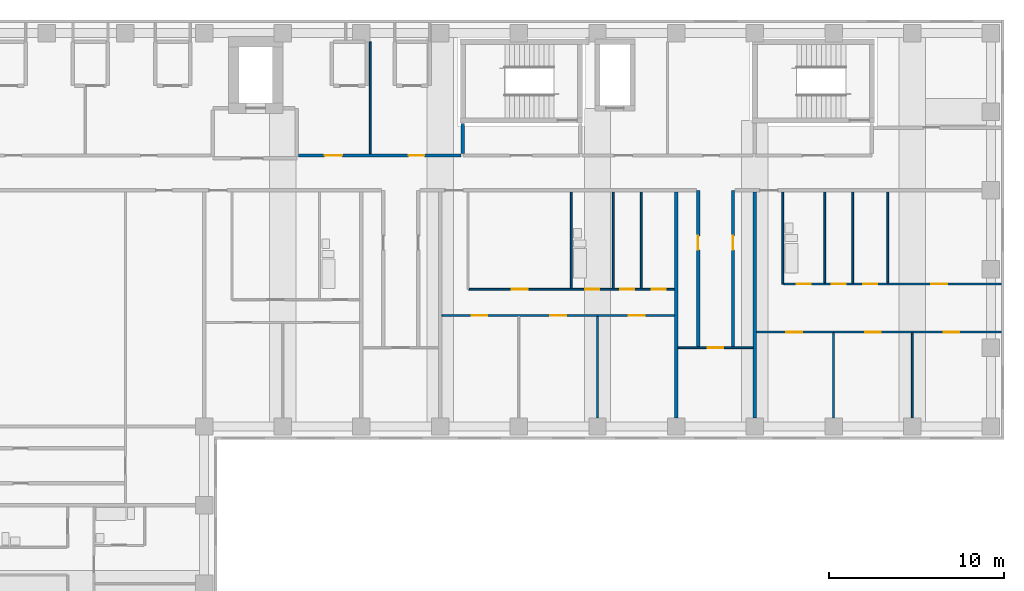
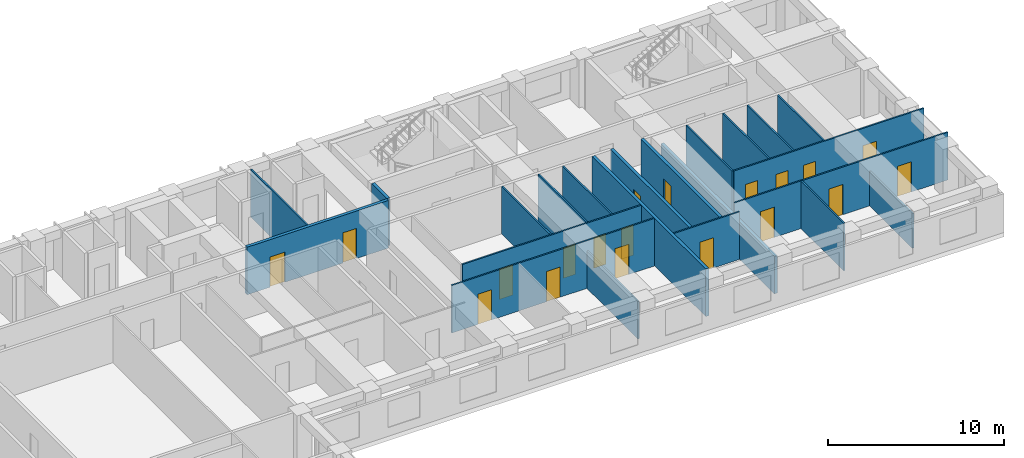
# One storey, part 7 of 12: 22 walls, 19 doors, 19 openings.
"""IFC4 building model written with IfcOpenShell, lengths in metres."""

from ifc_helpers import new_model, si_unit, direction, frame, frame_2d, origin, place, context, subcontext, project, spatial, rectangle, extrude, material, layer, layer_set, type_object, element, fill, save


model = new_model("IFC4")

# Units and contexts
model_context = context("Model", 3, precision=1e-05, world=origin(), true_north=direction((0.0, 1.0)))
body_context = subcontext(model_context, "Body", "Model", "MODEL_VIEW")
ifc_project = project(units=[si_unit("LENGTHUNIT", "METRE"), si_unit("AREAUNIT", "SQUARE_METRE"), si_unit("VOLUMEUNIT", "CUBIC_METRE"), si_unit("PLANEANGLEUNIT", "RADIAN"), si_unit("MASSUNIT", "GRAM", prefix="KILO")], contexts=[model_context])

# Site, building, storey
site_placement = place(None, origin())
site = spatial("IfcSite", under=ifc_project, at=site_placement, CompositionType="ELEMENT")
building_placement = place(site_placement, origin())
building = spatial("IfcBuilding", under=site, at=building_placement, Name="Firuza Court", CompositionType="ELEMENT")
storey_placement = place(building_placement, frame((0.0, 0.0, 152.0)))
storey = spatial("IfcBuildingStorey", under=building, at=storey_placement, Name="L38", CompositionType="ELEMENT", Elevation=152.0)

# Walls
ifc_material_1 = material(Name="Moisture-resistant gypsum board partition")
ifc_layer_1 = layer(ifc_material_1, 0.10009765625)
ifc_layer_set_1 = layer_set([ifc_layer_1], Name="Moisture-resistant gypsum board partition")
wall_type_1 = type_object("IfcWallType", Name="Bathroom partition 100", PredefinedType="PLUMBINGWALL", material=ifc_layer_set_1)
for number, where, z_axis, x_axis, name in (
    (1, (43.5, 43.89990234375, 0.0), (0.0, 0.0, 1.0), (0.0, 1.0, 0.0), "Bathroom partition 100 L38"),
    (2, (45.89990234375, 43.89990234375, 0.0), (0.0, 0.0, 1.0), (0.0, 1.0, 0.0), "Bathroom partition 100 L38"),
):
    element("IfcWall", number, at=place(storey_placement, frame(where, z_axis=z_axis, x_axis=x_axis)), inside=storey, type_object=wall_type_1, Name=name, PredefinedType="PLUMBINGWALL", context=body_context, shape_type="SweptSolid", body=[
        extrude(rectangle(XDim=5.5, YDim=0.10009765625, at=frame_2d((2.75, 0.0))), origin(), (0.0, 0.0, 1.0), 3.300048828125),
    ])
wall_1_placement = place(storey_placement, frame((55.60009765625, 44.14990234375, 0.0), z_axis=(0.0, 0.0, 1.0), x_axis=(0.0, 1.0, 0.0)))
element("IfcWall", 3, at=wall_1_placement, inside=storey, type_object=wall_type_1, Name="Bathroom partition 100 L38", PredefinedType="PLUMBINGWALL", context=body_context, shape_type="SweptSolid", body=[
    extrude(rectangle(XDim=5.25, YDim=0.10009765625, at=frame_2d((2.625, 0.0))), origin(), (0.0, 0.0, 1.0), 3.300048828125),
])
wall_2_placement = place(storey_placement, frame((58.0, 44.199951171875, 0.0), z_axis=(0.0, 0.0, 1.0), x_axis=(0.0, 1.0, 0.0)))
element("IfcWall", 4, at=wall_2_placement, inside=storey, type_object=wall_type_1, Name="Bathroom partition 100 L38", PredefinedType="PLUMBINGWALL", context=body_context, shape_type="SweptSolid", body=[
    extrude(rectangle(XDim=5.199951171875, YDim=0.10009765625, at=frame_2d((2.60009765625, 0.0))), origin(), (0.0, 0.0, 1.0), 3.300048828125),
])

# Wall, opening, door
ifc_material_2 = material(Name="Blockwork, plastered both sides", Category="masonry")
ifc_layer_2 = layer(ifc_material_2, 0.199951171875)
ifc_layer_set_2 = layer_set([ifc_layer_2], Name="Blockwork, plastered both sides")
wall_type_2 = type_object("IfcWallType", Name="Corridor wall 200", PredefinedType="PARTITIONING", material=ifc_layer_set_2)
wall_3_placement = place(storey_placement, frame((50.75, 40.550048828125, 0.0), z_axis=(0.0, 0.0, 1.0), x_axis=(0.0, 1.0, 0.0)))
wall_3 = element("IfcWall", 5, at=wall_3_placement, inside=storey, type_object=wall_type_2, Name="Corridor wall 200 L38", PredefinedType="PARTITIONING", context=body_context, shape_type="SweptSolid", body=[
    extrude(rectangle(XDim=8.949951171875, YDim=0.199951171875, at=frame_2d((4.47509765625, 0.0))), origin(), (0.0, 0.0, 1.0), 3.300048828125),
])
opening_1_placement = place(wall_3_placement, frame((5.550048828125, 0.0, 0.0)))
opening_1 = element("IfcOpeningElement", 6, at=opening_1_placement, cuts=wall_3, Name="Opening D38046", PredefinedType="OPENING", context=body_context, shape_type="SweptSolid", body=[
    extrude(rectangle(XDim=0.800048828125, YDim=2.10009765625, at=frame_2d((0.39990234375, 1.050048828125))), frame((0.0, 0.11181640625, 0.0), z_axis=(0.0, -1.0, 0.0), x_axis=(1.0, 0.0, 0.0)), (0.0, 0.0, 1.0), 0.223876953125),
])
ifc_material_3 = material(Name="Timber door leaf in hardwood frame", Category="wood")
door_type_1 = type_object("IfcDoorType", Name="Room door 800 EI 30", OperationType="SINGLE_SWING_LEFT", PredefinedType="DOOR", material=ifc_material_3)
door_1_placement = place(opening_1_placement, origin())
door_1 = element("IfcDoor", 7, at=door_1_placement, inside=storey, type_object=door_type_1, Name="Store door", OperationType="SINGLE_SWING_RIGHT", OverallHeight=2.10009765625, OverallWidth=0.800048828125, PredefinedType="DOOR", context=body_context, shape_type="SweptSolid", body=[
    extrude(rectangle(XDim=0.800048828125, YDim=2.10009765625, at=frame_2d((0.39990234375, 1.050048828125))), frame((0.0, 0.02490234375, 0.0), z_axis=(0.0, -1.0, 0.0), x_axis=(1.0, 0.0, 0.0)), (0.0, 0.0, 1.0), 0.050048828125),
])
fill(opening_1, door_1)

wall_4_placement = place(storey_placement, frame((52.75, 40.550048828125, 0.0), z_axis=(0.0, 0.0, 1.0), x_axis=(0.0, 1.0, 0.0)))
wall_4 = element("IfcWall", 8, at=wall_4_placement, inside=storey, type_object=wall_type_2, Name="Corridor wall 200 L38", PredefinedType="PARTITIONING", context=body_context, shape_type="SweptSolid", body=[
    extrude(rectangle(XDim=8.949951171875, YDim=0.199951171875, at=frame_2d((4.47509765625, 0.0))), origin(), (0.0, 0.0, 1.0), 3.300048828125),
])
opening_2_placement = place(wall_4_placement, frame((5.550048828125, 0.0, 0.0)))
opening_2 = element("IfcOpeningElement", 9, at=opening_2_placement, cuts=wall_4, Name="Opening D38047", PredefinedType="OPENING", context=body_context, shape_type="SweptSolid", body=[
    extrude(rectangle(XDim=0.800048828125, YDim=2.10009765625, at=frame_2d((0.39990234375, 1.050048828125))), frame((0.0, 0.11181640625, 0.0), z_axis=(0.0, -1.0, 0.0), x_axis=(1.0, 0.0, 0.0)), (0.0, 0.0, 1.0), 0.223876953125),
])
door_2_placement = place(opening_2_placement, frame((0.800048828125, 0.0, 0.0), z_axis=(0.0, 0.0, 1.0), x_axis=(-1.0, 0.0, 0.0)))
door_2 = element("IfcDoor", 10, at=door_2_placement, inside=storey, type_object=door_type_1, Name="Store door", OperationType="SINGLE_SWING_LEFT", OverallHeight=2.10009765625, OverallWidth=0.800048828125, PredefinedType="DOOR", context=body_context, shape_type="SweptSolid", body=[
    extrude(rectangle(XDim=0.800048828125, YDim=2.10009765625, at=frame_2d((0.39990234375, 1.050048828125))), frame((0.0, 0.02490234375, 0.0), z_axis=(0.0, -1.0, 0.0), x_axis=(1.0, 0.0, 0.0)), (0.0, 0.0, 1.0), 0.050048828125),
])
fill(opening_2, door_2)

# Wall, openings, doors
wall_5_placement = place(storey_placement, frame((27.89990234375, 51.5, 0.0), z_axis=(0.0, 0.0, 1.0), x_axis=(1.0, 0.0, 0.0)))
wall_5 = element("IfcWall", 11, at=wall_5_placement, inside=storey, type_object=wall_type_2, Name="Corridor wall 200 L38", PredefinedType="PARTITIONING", context=body_context, shape_type="SweptSolid", body=[
    extrude(rectangle(XDim=9.300048828125, YDim=0.199951171875, at=frame_2d((4.64990234375, 0.0))), origin(), (0.0, 0.0, 1.0), 3.300048828125),
])
opening_3_placement = place(wall_5_placement, frame((1.5, 0.0, 0.0)))
opening_3 = element("IfcOpeningElement", 12, at=opening_3_placement, cuts=wall_5, Name="Opening D38072", PredefinedType="OPENING", context=body_context, shape_type="SweptSolid", body=[
    extrude(rectangle(XDim=1.0, YDim=2.10009765625, at=frame_2d((0.5, 1.050048828125))), frame((0.0, 0.11181640625, 0.0), z_axis=(0.0, -1.0, 0.0), x_axis=(1.0, 0.0, 0.0)), (0.0, 0.0, 1.0), 0.223876953125),
])
opening_4_placement = place(wall_5_placement, frame((6.300048828125, 0.0, 0.0)))
opening_4 = element("IfcOpeningElement", 13, at=opening_4_placement, cuts=wall_5, Name="Opening D38073", PredefinedType="OPENING", context=body_context, shape_type="SweptSolid", body=[
    extrude(rectangle(XDim=0.89990234375, YDim=2.10009765625, at=frame_2d((0.449951171875, 1.050048828125))), frame((0.0, 0.11181640625, 0.0), z_axis=(0.0, -1.0, 0.0), x_axis=(1.0, 0.0, 0.0)), (0.0, 0.0, 1.0), 0.223876953125),
])
ifc_material_4 = material(Name="Timber door leaf in hardwood frame", Category="wood")
door_type_2 = type_object("IfcDoorType", Name="Room door 900 EI 30", OperationType="SINGLE_SWING_LEFT", PredefinedType="DOOR", material=ifc_material_4)
door_3_placement = place(opening_4_placement, origin())
door_3 = element("IfcDoor", 14, at=door_3_placement, inside=storey, type_object=door_type_2, Name="Concierge room door", OperationType="SINGLE_SWING_LEFT", OverallHeight=2.10009765625, OverallWidth=0.89990234375, PredefinedType="DOOR", context=body_context, shape_type="SweptSolid", body=[
    extrude(rectangle(XDim=0.89990234375, YDim=2.10009765625, at=frame_2d((0.449951171875, 1.050048828125))), frame((0.0, 0.02490234375, 0.0), z_axis=(0.0, -1.0, 0.0), x_axis=(1.0, 0.0, 0.0)), (0.0, 0.0, 1.0), 0.050048828125),
])
fill(opening_4, door_3)
ifc_material_5 = material(Name="Timber door leaf in hardwood frame", Category="wood")
door_type_3 = type_object("IfcDoorType", Name="Store door 1000", OperationType="SINGLE_SWING_LEFT", PredefinedType="DOOR", material=ifc_material_5)
door_4_placement = place(opening_3_placement, origin())
door_4 = element("IfcDoor", 15, at=door_4_placement, inside=storey, type_object=door_type_3, Name="Cleaner's store door", OperationType="SINGLE_SWING_LEFT", OverallHeight=2.10009765625, OverallWidth=1.0, PredefinedType="DOOR", context=body_context, shape_type="SweptSolid", body=[
    extrude(rectangle(XDim=1.0, YDim=2.10009765625, at=frame_2d((0.5, 1.050048828125))), frame((0.0, 0.02490234375, 0.0), z_axis=(0.0, -1.0, 0.0), x_axis=(1.0, 0.0, 0.0)), (0.0, 0.0, 1.0), 0.050048828125),
])
fill(opening_3, door_4)

# Walls
ifc_material_6 = material(Name="Timber stud partition, plasterboard both sides", Category="wood")
ifc_layer_3 = layer(ifc_material_6, 0.10009765625)
ifc_layer_set_3 = layer_set([ifc_layer_3], Name="Timber stud partition, plasterboard both sides")
wall_type_3 = type_object("IfcWallType", Name="Partition wall 100", PredefinedType="PARTITIONING", material=ifc_layer_set_3)
wall_6_placement = place(storey_placement, frame((45.0, 36.5, 0.0), z_axis=(0.0, 0.0, 1.0), x_axis=(0.0, 1.0, 0.0)))
element("IfcWall", 16, at=wall_6_placement, inside=storey, type_object=wall_type_3, Name="Partition wall 100 L38", PredefinedType="PARTITIONING", context=body_context, shape_type="SweptSolid", body=[
    extrude(rectangle(XDim=5.800048828125, YDim=0.10009765625, at=frame_2d((2.89990234375, 0.0))), origin(), (0.0, 0.0, 1.0), 2.60009765625),
])
wall_7_placement = place(storey_placement, frame((58.5, 36.5, 0.0), z_axis=(0.0, 0.0, 1.0), x_axis=(0.0, 1.0, 0.0)))
element("IfcWall", 17, at=wall_7_placement, inside=storey, type_object=wall_type_3, Name="Partition wall 100 L38", PredefinedType="PARTITIONING", context=body_context, shape_type="SweptSolid", body=[
    extrude(rectangle(XDim=4.85009765625, YDim=0.10009765625, at=frame_2d((2.425048828125, 0.0))), origin(), (0.0, 0.0, 1.0), 3.300048828125),
])
wall_8_placement = place(storey_placement, frame((63.0, 36.5, 0.0), z_axis=(0.0, 0.0, 1.0), x_axis=(0.0, 1.0, 0.0)))
element("IfcWall", 18, at=wall_8_placement, inside=storey, type_object=wall_type_3, Name="Partition wall 100 L38", PredefinedType="PARTITIONING", context=body_context, shape_type="SweptSolid", body=[
    extrude(rectangle(XDim=4.85009765625, YDim=0.10009765625, at=frame_2d((2.425048828125, 0.0))), origin(), (0.0, 0.0, 1.0), 2.39990234375),
])

# Wall, opening, door
wall_9_placement = place(storey_placement, frame((49.60009765625, 40.5, 0.0), z_axis=(0.0, 0.0, 1.0), x_axis=(1.0, 0.0, 0.0)))
wall_9 = element("IfcWall", 19, at=wall_9_placement, inside=storey, type_object=wall_type_3, Name="Partition wall 100 L38", PredefinedType="PARTITIONING", context=body_context, shape_type="SweptSolid", body=[
    extrude(rectangle(XDim=4.2998046875, YDim=0.10009765625, at=frame_2d((2.14990234375, 0.0))), origin(), (0.0, 0.0, 1.0), 3.300048828125),
])
opening_5_placement = place(wall_9_placement, frame((1.699951171875, 0.0, 0.0)))
opening_5 = element("IfcOpeningElement", 20, at=opening_5_placement, cuts=wall_9, Name="Opening D38043", PredefinedType="OPENING", context=body_context, shape_type="SweptSolid", body=[
    extrude(rectangle(XDim=0.89990234375, YDim=2.10009765625, at=frame_2d((0.449951171875, 1.050048828125))), frame((0.0, 0.06201171875, 0.0), z_axis=(0.0, -1.0, 0.0), x_axis=(1.0, 0.0, 0.0)), (0.0, 0.0, 1.0), 0.1240234375),
])
ifc_material_7 = material(Name="Timber door leaf in hardwood frame", Category="wood")
door_type_4 = type_object("IfcDoorType", Name="Room door 900", OperationType="SINGLE_SWING_LEFT", PredefinedType="DOOR", material=ifc_material_7)
door_5_placement = place(opening_5_placement, origin())
door_5 = element("IfcDoor", 21, at=door_5_placement, inside=storey, type_object=door_type_4, Name="Residents' lounge door", OperationType="SINGLE_SWING_LEFT", OverallHeight=2.10009765625, OverallWidth=0.89990234375, PredefinedType="DOOR", context=body_context, shape_type="SweptSolid", body=[
    extrude(rectangle(XDim=0.89990234375, YDim=2.10009765625, at=frame_2d((0.449951171875, 1.050048828125))), frame((0.0, 0.02490234375, 0.0), z_axis=(0.0, -1.0, 0.0), x_axis=(1.0, 0.0, 0.0)), (0.0, 0.0, 1.0), 0.050048828125),
])
fill(opening_5, door_5)

# Wall, openings, doors
wall_10_placement = place(storey_placement, frame((54.10009765625, 41.39990234375, 0.0), z_axis=(0.0, 0.0, 1.0), x_axis=(1.0, 0.0, 0.0)))
wall_10 = element("IfcWall", 22, at=wall_10_placement, inside=storey, type_object=wall_type_3, Name="Partition wall 100 L38", PredefinedType="PARTITIONING", context=body_context, shape_type="SweptSolid", body=[
    extrude(rectangle(XDim=14.0, YDim=0.10009765625, at=frame_2d((7.0, 0.0))), origin(), (0.0, 0.0, 1.0), 3.300048828125),
])
opening_6_placement = place(wall_10_placement, frame((1.699951171875, 0.0, 0.0)))
opening_6 = element("IfcOpeningElement", 23, at=opening_6_placement, cuts=wall_10, Name="Opening D38048", PredefinedType="OPENING", context=body_context, shape_type="SweptSolid", body=[
    extrude(rectangle(XDim=0.89990234375, YDim=2.10009765625, at=frame_2d((0.449951171875, 1.050048828125))), frame((0.0, 0.06201171875, 0.0), z_axis=(0.0, -1.0, 0.0), x_axis=(1.0, 0.0, 0.0)), (0.0, 0.0, 1.0), 0.1240234375),
])
opening_7_placement = place(wall_10_placement, frame((6.199951171875, 0.0, 0.0)))
opening_7 = element("IfcOpeningElement", 24, at=opening_7_placement, cuts=wall_10, Name="Opening D38049", PredefinedType="OPENING", context=body_context, shape_type="SweptSolid", body=[
    extrude(rectangle(XDim=0.89990234375, YDim=2.10009765625, at=frame_2d((0.449951171875, 1.050048828125))), frame((0.0, 0.06201171875, 0.0), z_axis=(0.0, -1.0, 0.0), x_axis=(1.0, 0.0, 0.0)), (0.0, 0.0, 1.0), 0.1240234375),
])
opening_8_placement = place(wall_10_placement, frame((10.699951171875, 0.0, 0.0)))
opening_8 = element("IfcOpeningElement", 25, at=opening_8_placement, cuts=wall_10, Name="Opening D38050", PredefinedType="OPENING", context=body_context, shape_type="SweptSolid", body=[
    extrude(rectangle(XDim=0.89990234375, YDim=2.10009765625, at=frame_2d((0.449951171875, 1.050048828125))), frame((0.0, 0.06201171875, 0.0), z_axis=(0.0, -1.0, 0.0), x_axis=(1.0, 0.0, 0.0)), (0.0, 0.0, 1.0), 0.1240234375),
])
door_6_placement = place(opening_6_placement, frame((0.89990234375, 0.0, 0.0), z_axis=(0.0, 0.0, 1.0), x_axis=(-1.0, 0.0, 0.0)))
door_6 = element("IfcDoor", 26, at=door_6_placement, inside=storey, type_object=door_type_4, Name="Living room door", OperationType="SINGLE_SWING_RIGHT", OverallHeight=2.10009765625, OverallWidth=0.89990234375, PredefinedType="DOOR", context=body_context, shape_type="SweptSolid", body=[
    extrude(rectangle(XDim=0.89990234375, YDim=2.10009765625, at=frame_2d((0.449951171875, 1.050048828125))), frame((0.0, 0.02490234375, 0.0), z_axis=(0.0, -1.0, 0.0), x_axis=(1.0, 0.0, 0.0)), (0.0, 0.0, 1.0), 0.050048828125),
])
fill(opening_6, door_6)
door_7_placement = place(opening_7_placement, frame((0.89990234375, 0.0, 0.0), z_axis=(0.0, 0.0, 1.0), x_axis=(-1.0, 0.0, 0.0)))
door_7 = element("IfcDoor", 27, at=door_7_placement, inside=storey, type_object=door_type_4, Name="Bedroom door", OperationType="SINGLE_SWING_RIGHT", OverallHeight=2.10009765625, OverallWidth=0.89990234375, PredefinedType="DOOR", context=body_context, shape_type="SweptSolid", body=[
    extrude(rectangle(XDim=0.89990234375, YDim=2.10009765625, at=frame_2d((0.449951171875, 1.050048828125))), frame((0.0, 0.02490234375, 0.0), z_axis=(0.0, -1.0, 0.0), x_axis=(1.0, 0.0, 0.0)), (0.0, 0.0, 1.0), 0.050048828125),
])
fill(opening_7, door_7)
door_8_placement = place(opening_8_placement, frame((0.89990234375, 0.0, 0.0), z_axis=(0.0, 0.0, 1.0), x_axis=(-1.0, 0.0, 0.0)))
door_8 = element("IfcDoor", 28, at=door_8_placement, inside=storey, type_object=door_type_4, Name="Study door", OperationType="SINGLE_SWING_RIGHT", OverallHeight=2.10009765625, OverallWidth=0.89990234375, PredefinedType="DOOR", context=body_context, shape_type="SweptSolid", body=[
    extrude(rectangle(XDim=0.89990234375, YDim=2.10009765625, at=frame_2d((0.449951171875, 1.050048828125))), frame((0.0, 0.02490234375, 0.0), z_axis=(0.0, -1.0, 0.0), x_axis=(1.0, 0.0, 0.0)), (0.0, 0.0, 1.0), 0.050048828125),
])
fill(opening_8, door_8)

wall_11_placement = place(storey_placement, frame((36.10009765625, 42.35009765625, 0.0), z_axis=(0.0, 0.0, 1.0), x_axis=(1.0, 0.0, 0.0)))
wall_11 = element("IfcWall", 29, at=wall_11_placement, inside=storey, type_object=wall_type_3, Name="Partition wall 100 L38", PredefinedType="PARTITIONING", context=body_context, shape_type="SweptSolid", body=[
    extrude(rectangle(XDim=13.2998046875, YDim=0.10009765625, at=frame_2d((6.64990234375, 0.0))), origin(), (0.0, 0.0, 1.0), 3.300048828125),
])
opening_9_placement = place(wall_11_placement, frame((1.699951171875, 0.0, 0.0)))
opening_9 = element("IfcOpeningElement", 30, at=opening_9_placement, cuts=wall_11, Name="Opening D38053", PredefinedType="OPENING", context=body_context, shape_type="SweptSolid", body=[
    extrude(rectangle(XDim=0.89990234375, YDim=2.10009765625, at=frame_2d((0.449951171875, 1.050048828125))), frame((0.0, 0.06201171875, 0.0), z_axis=(0.0, -1.0, 0.0), x_axis=(1.0, 0.0, 0.0)), (0.0, 0.0, 1.0), 0.1240234375),
])
opening_10_placement = place(wall_11_placement, frame((6.199951171875, 0.0, 0.0)))
opening_10 = element("IfcOpeningElement", 31, at=opening_10_placement, cuts=wall_11, Name="Opening D38054", PredefinedType="OPENING", context=body_context, shape_type="SweptSolid", body=[
    extrude(rectangle(XDim=0.89990234375, YDim=2.10009765625, at=frame_2d((0.449951171875, 1.050048828125))), frame((0.0, 0.06201171875, 0.0), z_axis=(0.0, -1.0, 0.0), x_axis=(1.0, 0.0, 0.0)), (0.0, 0.0, 1.0), 0.1240234375),
])
opening_11_placement = place(wall_11_placement, frame((10.699951171875, 0.0, 0.0)))
opening_11 = element("IfcOpeningElement", 32, at=opening_11_placement, cuts=wall_11, Name="Opening D38055", PredefinedType="OPENING", context=body_context, shape_type="SweptSolid", body=[
    extrude(rectangle(XDim=0.89990234375, YDim=2.10009765625, at=frame_2d((0.449951171875, 1.050048828125))), frame((0.0, 0.06201171875, 0.0), z_axis=(0.0, -1.0, 0.0), x_axis=(1.0, 0.0, 0.0)), (0.0, 0.0, 1.0), 0.1240234375),
])
door_9_placement = place(opening_9_placement, frame((0.89990234375, 0.0, 0.0), z_axis=(0.0, 0.0, 1.0), x_axis=(-1.0, 0.0, 0.0)))
door_9 = element("IfcDoor", 33, at=door_9_placement, inside=storey, type_object=door_type_4, Name="Living room door", OperationType="SINGLE_SWING_RIGHT", OverallHeight=2.10009765625, OverallWidth=0.89990234375, PredefinedType="DOOR", context=body_context, shape_type="SweptSolid", body=[
    extrude(rectangle(XDim=0.89990234375, YDim=2.10009765625, at=frame_2d((0.449951171875, 1.050048828125))), frame((0.0, 0.02490234375, 0.0), z_axis=(0.0, -1.0, 0.0), x_axis=(1.0, 0.0, 0.0)), (0.0, 0.0, 1.0), 0.050048828125),
])
fill(opening_9, door_9)
door_10_placement = place(opening_10_placement, frame((0.89990234375, 0.0, 0.0), z_axis=(0.0, 0.0, 1.0), x_axis=(-1.0, 0.0, 0.0)))
door_10 = element("IfcDoor", 34, at=door_10_placement, inside=storey, type_object=door_type_4, Name="Bedroom door", OperationType="SINGLE_SWING_RIGHT", OverallHeight=2.10009765625, OverallWidth=0.89990234375, PredefinedType="DOOR", context=body_context, shape_type="SweptSolid", body=[
    extrude(rectangle(XDim=0.89990234375, YDim=2.10009765625, at=frame_2d((0.449951171875, 1.050048828125))), frame((0.0, 0.02490234375, 0.0), z_axis=(0.0, -1.0, 0.0), x_axis=(1.0, 0.0, 0.0)), (0.0, 0.0, 1.0), 0.050048828125),
])
fill(opening_10, door_10)
door_11_placement = place(opening_11_placement, frame((0.89990234375, 0.0, 0.0), z_axis=(0.0, 0.0, 1.0), x_axis=(-1.0, 0.0, 0.0)))
door_11 = element("IfcDoor", 35, at=door_11_placement, inside=storey, type_object=door_type_4, Name="Bedroom door", OperationType="SINGLE_SWING_RIGHT", OverallHeight=2.10009765625, OverallWidth=0.89990234375, PredefinedType="DOOR", context=body_context, shape_type="SweptSolid", body=[
    extrude(rectangle(XDim=0.89990234375, YDim=2.10009765625, at=frame_2d((0.449951171875, 1.050048828125))), frame((0.0, 0.02490234375, 0.0), z_axis=(0.0, -1.0, 0.0), x_axis=(1.0, 0.0, 0.0)), (0.0, 0.0, 1.0), 0.050048828125),
])
fill(opening_11, door_11)

wall_12_placement = place(storey_placement, frame((37.64990234375, 43.85009765625, 0.0), z_axis=(0.0, 0.0, 1.0), x_axis=(1.0, 0.0, 0.0)))
wall_12 = element("IfcWall", 36, at=wall_12_placement, inside=storey, type_object=wall_type_3, Name="Partition wall 100 L38", PredefinedType="PARTITIONING", context=body_context, shape_type="SweptSolid", body=[
    extrude(rectangle(XDim=11.75, YDim=0.10009765625, at=frame_2d((5.875, 0.0))), origin(), (0.0, 0.0, 1.0), 3.300048828125),
])
opening_12_placement = place(wall_12_placement, frame((6.64990234375, 0.0, 0.0)))
opening_12 = element("IfcOpeningElement", 37, at=opening_12_placement, cuts=wall_12, Name="Opening D38058", PredefinedType="OPENING", context=body_context, shape_type="SweptSolid", body=[
    extrude(rectangle(XDim=0.800048828125, YDim=2.10009765625, at=frame_2d((0.39990234375, 1.050048828125))), frame((0.0, 0.06201171875, 0.0), z_axis=(0.0, -1.0, 0.0), x_axis=(1.0, 0.0, 0.0)), (0.0, 0.0, 1.0), 0.1240234375),
])
opening_13_placement = place(wall_12_placement, frame((2.449951171875, 0.0, 0.0)))
opening_13 = element("IfcOpeningElement", 38, at=opening_13_placement, cuts=wall_12, Name="Opening D38059", PredefinedType="OPENING", context=body_context, shape_type="SweptSolid", body=[
    extrude(rectangle(XDim=0.89990234375, YDim=2.10009765625, at=frame_2d((0.449951171875, 1.050048828125))), frame((0.0, 0.06201171875, 0.0), z_axis=(0.0, -1.0, 0.0), x_axis=(1.0, 0.0, 0.0)), (0.0, 0.0, 1.0), 0.1240234375),
])
opening_14_placement = place(wall_12_placement, frame((8.64990234375, 0.0, 0.0)))
opening_14 = element("IfcOpeningElement", 39, at=opening_14_placement, cuts=wall_12, Name="Opening D38060", PredefinedType="OPENING", context=body_context, shape_type="SweptSolid", body=[
    extrude(rectangle(XDim=0.800048828125, YDim=2.10009765625, at=frame_2d((0.39990234375, 1.050048828125))), frame((0.0, 0.06201171875, 0.0), z_axis=(0.0, -1.0, 0.0), x_axis=(1.0, 0.0, 0.0)), (0.0, 0.0, 1.0), 0.1240234375),
])
opening_15_placement = place(wall_12_placement, frame((10.449951171875, 0.0, 0.0)))
opening_15 = element("IfcOpeningElement", 40, at=opening_15_placement, cuts=wall_12, Name="Opening D38061", PredefinedType="OPENING", context=body_context, shape_type="SweptSolid", body=[
    extrude(rectangle(XDim=0.800048828125, YDim=2.10009765625, at=frame_2d((0.39990234375, 1.050048828125))), frame((0.0, 0.06201171875, 0.0), z_axis=(0.0, -1.0, 0.0), x_axis=(1.0, 0.0, 0.0)), (0.0, 0.0, 1.0), 0.1240234375),
])
ifc_material_8 = material(Name="Timber door leaf in hardwood frame", Category="wood")
door_type_5 = type_object("IfcDoorType", Name="Bathroom door 800", OperationType="SINGLE_SWING_LEFT", PredefinedType="DOOR", material=ifc_material_8)
door_12_placement = place(opening_12_placement, origin())
door_12 = element("IfcDoor", 41, at=door_12_placement, inside=storey, type_object=door_type_5, Name="Bathroom door", OperationType="SINGLE_SWING_LEFT", OverallHeight=2.10009765625, OverallWidth=0.800048828125, PredefinedType="DOOR", context=body_context, shape_type="SweptSolid", body=[
    extrude(rectangle(XDim=0.800048828125, YDim=2.10009765625, at=frame_2d((0.39990234375, 1.050048828125))), frame((0.0, 0.02490234375, 0.0), z_axis=(0.0, -1.0, 0.0), x_axis=(1.0, 0.0, 0.0)), (0.0, 0.0, 1.0), 0.050048828125),
])
fill(opening_12, door_12)
ifc_material_9 = material(Name="Timber door leaf in hardwood frame", Category="wood")
door_type_6 = type_object("IfcDoorType", Name="Room door 800", OperationType="SINGLE_SWING_LEFT", PredefinedType="DOOR", material=ifc_material_9)
door_13_placement = place(opening_14_placement, origin())
door_13 = element("IfcDoor", 42, at=door_13_placement, inside=storey, type_object=door_type_6, Name="Store door", OperationType="SINGLE_SWING_LEFT", OverallHeight=2.10009765625, OverallWidth=0.800048828125, PredefinedType="DOOR", context=body_context, shape_type="SweptSolid", body=[
    extrude(rectangle(XDim=0.800048828125, YDim=2.10009765625, at=frame_2d((0.39990234375, 1.050048828125))), frame((0.0, 0.02490234375, 0.0), z_axis=(0.0, -1.0, 0.0), x_axis=(1.0, 0.0, 0.0)), (0.0, 0.0, 1.0), 0.050048828125),
])
fill(opening_14, door_13)
door_14_placement = place(opening_15_placement, origin())
door_14 = element("IfcDoor", 43, at=door_14_placement, inside=storey, type_object=door_type_6, Name="Utility room door", OperationType="SINGLE_SWING_LEFT", OverallHeight=2.10009765625, OverallWidth=0.800048828125, PredefinedType="DOOR", context=body_context, shape_type="SweptSolid", body=[
    extrude(rectangle(XDim=0.800048828125, YDim=2.10009765625, at=frame_2d((0.39990234375, 1.050048828125))), frame((0.0, 0.02490234375, 0.0), z_axis=(0.0, -1.0, 0.0), x_axis=(1.0, 0.0, 0.0)), (0.0, 0.0, 1.0), 0.050048828125),
])
fill(opening_15, door_14)
door_15_placement = place(opening_13_placement, origin())
door_15 = element("IfcDoor", 44, at=door_15_placement, inside=storey, type_object=door_type_4, Name="Kitchen door", OperationType="SINGLE_SWING_LEFT", OverallHeight=2.10009765625, OverallWidth=0.89990234375, PredefinedType="DOOR", context=body_context, shape_type="SweptSolid", body=[
    extrude(rectangle(XDim=0.89990234375, YDim=2.10009765625, at=frame_2d((0.449951171875, 1.050048828125))), frame((0.0, 0.02490234375, 0.0), z_axis=(0.0, -1.0, 0.0), x_axis=(1.0, 0.0, 0.0)), (0.0, 0.0, 1.0), 0.050048828125),
])
fill(opening_13, door_15)

# Wall
wall_13_placement = place(storey_placement, frame((47.5, 43.89990234375, 0.0), z_axis=(0.0, 0.0, 1.0), x_axis=(0.0, 1.0, 0.0)))
element("IfcWall", 45, at=wall_13_placement, inside=storey, type_object=wall_type_3, Name="Partition wall 100 L38", PredefinedType="PARTITIONING", context=body_context, shape_type="SweptSolid", body=[
    extrude(rectangle(XDim=5.5, YDim=0.10009765625, at=frame_2d((2.75, 0.0))), origin(), (0.0, 0.0, 1.0), 3.300048828125),
])

# Wall, openings, doors
wall_14_placement = place(storey_placement, frame((55.64990234375, 44.14990234375, 0.0), z_axis=(0.0, 0.0, 1.0), x_axis=(1.0, 0.0, 0.0)))
wall_14 = element("IfcWall", 46, at=wall_14_placement, inside=storey, type_object=wall_type_3, Name="Partition wall 100 L38", PredefinedType="PARTITIONING", context=body_context, shape_type="SweptSolid", body=[
    extrude(rectangle(XDim=12.4501953125, YDim=0.10009765625, at=frame_2d((6.22509765625, 0.0))), origin(), (0.0, 0.0, 1.0), 3.300048828125),
])
opening_16_placement = place(wall_14_placement, frame((0.75, 0.0, 0.0)))
opening_16 = element("IfcOpeningElement", 47, at=opening_16_placement, cuts=wall_14, Name="Opening D38062", PredefinedType="OPENING", context=body_context, shape_type="SweptSolid", body=[
    extrude(rectangle(XDim=0.800048828125, YDim=2.10009765625, at=frame_2d((0.39990234375, 1.050048828125))), frame((0.0, 0.06201171875, 0.0), z_axis=(0.0, -1.0, 0.0), x_axis=(1.0, 0.0, 0.0)), (0.0, 0.0, 1.0), 0.1240234375),
])
opening_17_placement = place(wall_14_placement, frame((8.449951171875, 0.0, 0.0)))
opening_17 = element("IfcOpeningElement", 48, at=opening_17_placement, cuts=wall_14, Name="Opening D38063", PredefinedType="OPENING", context=body_context, shape_type="SweptSolid", body=[
    extrude(rectangle(XDim=0.89990234375, YDim=2.10009765625, at=frame_2d((0.449951171875, 1.050048828125))), frame((0.0, 0.06201171875, 0.0), z_axis=(0.0, -1.0, 0.0), x_axis=(1.0, 0.0, 0.0)), (0.0, 0.0, 1.0), 0.1240234375),
])
opening_18_placement = place(wall_14_placement, frame((2.75, 0.0, 0.0)))
opening_18 = element("IfcOpeningElement", 49, at=opening_18_placement, cuts=wall_14, Name="Opening D38064", PredefinedType="OPENING", context=body_context, shape_type="SweptSolid", body=[
    extrude(rectangle(XDim=0.800048828125, YDim=2.10009765625, at=frame_2d((0.39990234375, 1.050048828125))), frame((0.0, 0.06201171875, 0.0), z_axis=(0.0, -1.0, 0.0), x_axis=(1.0, 0.0, 0.0)), (0.0, 0.0, 1.0), 0.1240234375),
])
opening_19_placement = place(wall_14_placement, frame((4.550048828125, 0.0, 0.0)))
opening_19 = element("IfcOpeningElement", 50, at=opening_19_placement, cuts=wall_14, Name="Opening D38065", PredefinedType="OPENING", context=body_context, shape_type="SweptSolid", body=[
    extrude(rectangle(XDim=0.800048828125, YDim=2.10009765625, at=frame_2d((0.39990234375, 1.050048828125))), frame((0.0, 0.06201171875, 0.0), z_axis=(0.0, -1.0, 0.0), x_axis=(1.0, 0.0, 0.0)), (0.0, 0.0, 1.0), 0.1240234375),
])
door_16_placement = place(opening_16_placement, origin())
door_16 = element("IfcDoor", 51, at=door_16_placement, inside=storey, type_object=door_type_5, Name="Bathroom door", OperationType="SINGLE_SWING_LEFT", OverallHeight=2.10009765625, OverallWidth=0.800048828125, PredefinedType="DOOR", context=body_context, shape_type="SweptSolid", body=[
    extrude(rectangle(XDim=0.800048828125, YDim=2.10009765625, at=frame_2d((0.39990234375, 1.050048828125))), frame((0.0, 0.02490234375, 0.0), z_axis=(0.0, -1.0, 0.0), x_axis=(1.0, 0.0, 0.0)), (0.0, 0.0, 1.0), 0.050048828125),
])
fill(opening_16, door_16)
door_17_placement = place(opening_18_placement, origin())
door_17 = element("IfcDoor", 52, at=door_17_placement, inside=storey, type_object=door_type_6, Name="Store door", OperationType="SINGLE_SWING_LEFT", OverallHeight=2.10009765625, OverallWidth=0.800048828125, PredefinedType="DOOR", context=body_context, shape_type="SweptSolid", body=[
    extrude(rectangle(XDim=0.800048828125, YDim=2.10009765625, at=frame_2d((0.39990234375, 1.050048828125))), frame((0.0, 0.02490234375, 0.0), z_axis=(0.0, -1.0, 0.0), x_axis=(1.0, 0.0, 0.0)), (0.0, 0.0, 1.0), 0.050048828125),
])
fill(opening_18, door_17)
door_18_placement = place(opening_19_placement, origin())
door_18 = element("IfcDoor", 53, at=door_18_placement, inside=storey, type_object=door_type_6, Name="Utility room door", OperationType="SINGLE_SWING_LEFT", OverallHeight=2.10009765625, OverallWidth=0.800048828125, PredefinedType="DOOR", context=body_context, shape_type="SweptSolid", body=[
    extrude(rectangle(XDim=0.800048828125, YDim=2.10009765625, at=frame_2d((0.39990234375, 1.050048828125))), frame((0.0, 0.02490234375, 0.0), z_axis=(0.0, -1.0, 0.0), x_axis=(1.0, 0.0, 0.0)), (0.0, 0.0, 1.0), 0.050048828125),
])
fill(opening_19, door_18)
door_19_placement = place(opening_17_placement, origin())
door_19 = element("IfcDoor", 54, at=door_19_placement, inside=storey, type_object=door_type_4, Name="Kitchen door", OperationType="SINGLE_SWING_LEFT", OverallHeight=2.10009765625, OverallWidth=0.89990234375, PredefinedType="DOOR", context=body_context, shape_type="SweptSolid", body=[
    extrude(rectangle(XDim=0.89990234375, YDim=2.10009765625, at=frame_2d((0.449951171875, 1.050048828125))), frame((0.0, 0.02490234375, 0.0), z_axis=(0.0, -1.0, 0.0), x_axis=(1.0, 0.0, 0.0)), (0.0, 0.0, 1.0), 0.050048828125),
])
fill(opening_17, door_19)

# Walls
for number, where, z_axis, x_axis, name in (
    (55, (59.60009765625, 44.199951171875, 0.0), (0.0, 0.0, 1.0), (0.0, 1.0, 0.0), "Partition wall 100 L38"),
    (56, (61.60009765625, 44.199951171875, 0.0), (0.0, 0.0, 1.0), (0.0, 1.0, 0.0), "Partition wall 100 L38"),
):
    element("IfcWall", number, at=place(storey_placement, frame(where, z_axis=z_axis, x_axis=x_axis)), inside=storey, type_object=wall_type_3, Name=name, PredefinedType="PARTITIONING", context=body_context, shape_type="SweptSolid", body=[
        extrude(rectangle(XDim=5.199951171875, YDim=0.10009765625, at=frame_2d((2.60009765625, 0.0))), origin(), (0.0, 0.0, 1.0), 3.300048828125),
    ])
wall_15_placement = place(storey_placement, frame((32.0, 51.60009765625, 0.0), z_axis=(0.0, 0.0, 1.0), x_axis=(0.0, 1.0, 0.0)))
element("IfcWall", 57, at=wall_15_placement, inside=storey, type_object=wall_type_3, Name="Partition wall 100 L38", PredefinedType="PARTITIONING", context=body_context, shape_type="SweptSolid", body=[
    extrude(rectangle(XDim=6.39990234375, YDim=0.10009765625, at=frame_2d((3.199951171875, 0.0))), origin(), (0.0, 0.0, 1.0), 3.300048828125),
])
ifc_layer_4 = layer(ifc_material_2, 0.199951171875)
ifc_layer_set_4 = layer_set([ifc_layer_4], Name="Blockwork, plastered both sides")
wall_type_4 = type_object("IfcWallType", Name="Party wall 200", PredefinedType="PARTITIONING", material=ifc_layer_set_4)
wall_16_placement = place(storey_placement, frame((49.5, 36.5, 0.0), z_axis=(0.0, 0.0, 1.0), x_axis=(0.0, 1.0, 0.0)))
element("IfcWall", 58, at=wall_16_placement, inside=storey, type_object=wall_type_4, Name="Party wall 200 L38", PredefinedType="PARTITIONING", context=body_context, shape_type="SweptSolid", body=[
    extrude(rectangle(XDim=12.89990234375, YDim=0.199951171875, at=frame_2d((6.449951171875, 0.0))), origin(), (0.0, 0.0, 1.0), 3.300048828125),
])
wall_17_placement = place(storey_placement, frame((54.0, 36.5, 0.0), z_axis=(0.0, 0.0, 1.0), x_axis=(0.0, 1.0, 0.0)))
element("IfcWall", 59, at=wall_17_placement, inside=storey, type_object=wall_type_4, Name="Party wall 200 L38", PredefinedType="PARTITIONING", context=body_context, shape_type="SweptSolid", body=[
    extrude(rectangle(XDim=12.89990234375, YDim=0.199951171875, at=frame_2d((6.449951171875, 0.0))), origin(), (0.0, 0.0, 1.0), 2.60009765625),
])
ifc_material_10 = material(Name="Blockwork, fire-rated", Category="masonry")
ifc_layer_5 = layer(ifc_material_10, 0.199951171875)
ifc_layer_set_5 = layer_set([ifc_layer_5], Name="Blockwork, fire-rated")
wall_type_5 = type_object("IfcWallType", Name="Shaft wall 200", PredefinedType="PARTITIONING", material=ifc_layer_set_5)
wall_18_placement = place(storey_placement, frame((37.300048828125, 51.60009765625, 0.0), z_axis=(0.0, 0.0, 1.0), x_axis=(0.0, 1.0, 0.0)))
element("IfcWall", 60, at=wall_18_placement, inside=storey, type_object=wall_type_5, Name="Shaft wall 200 L38", PredefinedType="PARTITIONING", context=body_context, shape_type="SweptSolid", body=[
    extrude(rectangle(XDim=1.72998046875, YDim=0.199951171875, at=frame_2d((0.864990234375, 0.0))), origin(), (0.0, 0.0, 1.0), 3.300048828125),
])

save(model, "model.ifc")
